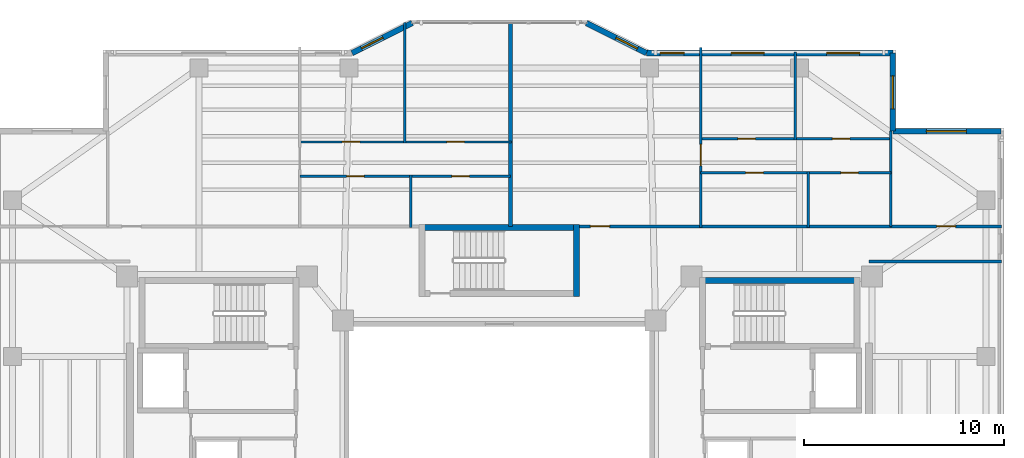
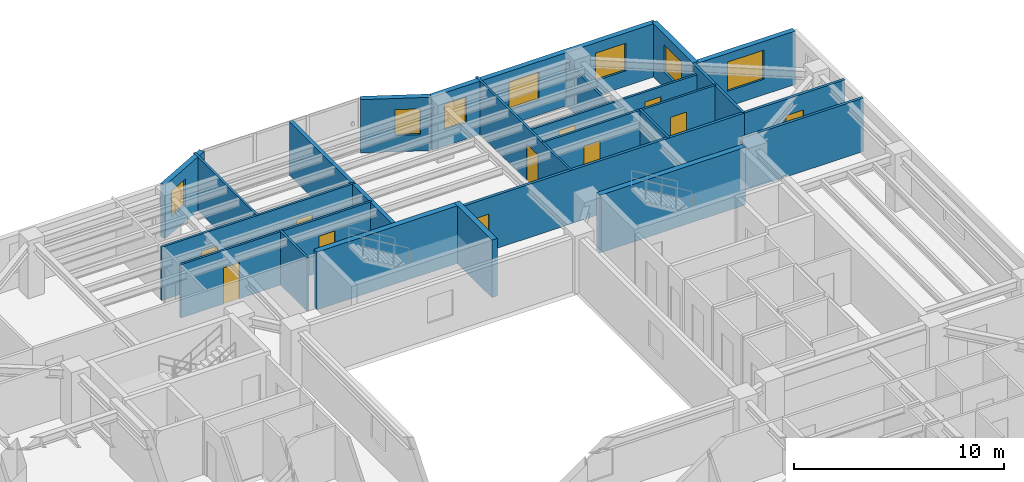
# One storey, part 10 of 15: 24 walls, 11 doors, 7 windows, 18 openings.
"""IFC4 building model written with IfcOpenShell, lengths in metres."""

from ifc_helpers import new_model, si_unit, direction, frame, frame_2d, origin, place, context, subcontext, project, spatial, rectangle, extrude, material, layer, layer_set, type_object, element, fill, save


model = new_model("IFC4")

# Units and contexts
model_context = context("Model", 3, precision=1e-05, world=origin(), true_north=direction((0.0, 1.0)))
body_context = subcontext(model_context, "Body", "Model", "MODEL_VIEW")
ifc_project = project(units=[si_unit("LENGTHUNIT", "METRE"), si_unit("AREAUNIT", "SQUARE_METRE"), si_unit("VOLUMEUNIT", "CUBIC_METRE"), si_unit("PLANEANGLEUNIT", "RADIAN"), si_unit("MASSUNIT", "GRAM", prefix="KILO")], contexts=[model_context])

# Site, building, storey
site_placement = place(None, origin())
site = spatial("IfcSite", under=ifc_project, at=site_placement, CompositionType="ELEMENT")
building_placement = place(site_placement, origin())
building = spatial("IfcBuilding", under=site, at=building_placement, Name="Tarnavaz Court Tower", CompositionType="ELEMENT")
storey_placement = place(building_placement, frame((0.0, 0.0, 162.75)))
storey = spatial("IfcBuildingStorey", under=building, at=storey_placement, Name="L44", CompositionType="ELEMENT", Elevation=162.75)

# Walls
ifc_material_1 = material(Name="Concrete C50/60", Category="concrete")
ifc_layer_1 = layer(ifc_material_1, 0.300048828125)
ifc_layer_set_1 = layer_set([ifc_layer_1], Name="Concrete C50/60")
wall_type_1 = type_object("IfcWallType", Name="WL-CORE-300-C50", PredefinedType="SHEAR", material=ifc_layer_set_1)
for number, where, z_axis, x_axis, name in (
    (1, (10.0, 9.7900390625, 0.0), (0.0, 0.0, 1.0), (1.0, 0.0, 0.0), "L44 East Stair Core Wall 005"),
    (2, (-4.0, 12.43994140625, 0.0), (0.0, 0.0, 1.0), (1.0, 0.0, 0.0), "L44 North Stair Core Wall 009"),
):
    element("IfcWall", number, at=place(storey_placement, frame(where, z_axis=z_axis, x_axis=x_axis)), inside=storey, type_object=wall_type_1, Name=name, PredefinedType="SHEAR", context=body_context, shape_type="SweptSolid", body=[
        extrude(rectangle(XDim=8.0, YDim=0.300048828125, at=frame_2d((4.0, 0.0))), origin(), (0.0, 0.0, 1.0), 3.35009765625),
    ])
wall_1_placement = place(storey_placement, frame((3.85009765625, 9.0, 0.0), z_axis=(0.0, 0.0, 1.0), x_axis=(0.0, 1.0, 0.0)))
element("IfcWall", 3, at=wall_1_placement, inside=storey, type_object=wall_type_1, Name="L44 North Stair Core Wall 012", PredefinedType="SHEAR", context=body_context, shape_type="SweptSolid", body=[
    extrude(rectangle(XDim=3.590087890625, YDim=0.300048828125, at=frame_2d((1.794921875, 0.0))), origin(), (0.0, 0.0, 1.0), 3.35009765625),
])

# Wall, opening, window
ifc_material_2 = material(Name="Precast Concrete C40/50", Category="concrete")
ifc_layer_2 = layer(ifc_material_2, 0.280029296875)
ifc_layer_set_2 = layer_set([ifc_layer_2], Name="Precast Concrete C40/50")
wall_type_2 = type_object("IfcWallType", Name="WL-EXT-280", PredefinedType="SOLIDWALL", material=ifc_layer_set_2)
wall_2_placement = place(storey_placement, frame((-7.35009765625, 21.14990234375, 0.0), z_axis=(0.0, 0.0, 1.0), x_axis=(0.894427191, 0.4472135955, 0.0)))
wall_2 = element("IfcWall", 4, at=wall_2_placement, inside=storey, type_object=wall_type_2, Name="L44 Exterior Terracotta Facade Wall 06", PredefinedType="SOLIDWALL", context=body_context, shape_type="SweptSolid", body=[
    extrude(rectangle(XDim=3.35400390625, YDim=0.280029296875, at=frame_2d((1.677001953125, 0.0))), origin(), (0.0, 0.0, 1.0), 3.10009765625),
])
opening_1_placement = place(wall_2_placement, frame((0.521240234375, 0.0, 0.949951171875)))
opening_1 = element("IfcOpeningElement", 5, at=opening_1_placement, cuts=wall_2, Name="Opening W05", PredefinedType="OPENING", context=body_context, shape_type="SweptSolid", body=[
    extrude(rectangle(XDim=1.199951171875, YDim=1.5, at=frame_2d((0.60009765625, 0.75))), frame((0.0, 0.14990234375, 0.0), z_axis=(0.0, -1.0, 0.0), x_axis=(1.0, 0.0, 0.0)), (0.0, 0.0, 1.0), 0.300048828125),
])
ifc_material_3 = material(Name="Double-Glazed Solar Low-E Glass", Category="glass")
window_type_1 = type_object("IfcWindowType", Name="WN-APT-1200", PartitioningType="SINGLE_PANEL", PredefinedType="WINDOW", material=ifc_material_3)
window_1_placement = place(opening_1_placement, origin())
window_1 = element("IfcWindow", 6, at=window_1_placement, inside=storey, type_object=window_type_1, Name="L44 Flat 01 Principal Bedroom Window", OverallHeight=1.5, OverallWidth=1.199951171875, PartitioningType="SINGLE_PANEL", PredefinedType="WINDOW", context=body_context, shape_type="SweptSolid", body=[
    extrude(rectangle(XDim=1.199951171875, YDim=1.5, at=frame_2d((0.60009765625, 0.75))), frame((0.0, 0.030029296875, 0.0), z_axis=(0.0, -1.0, 0.0), x_axis=(1.0, 0.0, 0.0)), (0.0, 0.0, 1.0), 0.06005859375),
])
fill(opening_1, window_1)

wall_3_placement = place(storey_placement, frame((4.35009765625, 22.64990234375, 0.0), z_axis=(0.0, 0.0, 1.0), x_axis=(0.894427191, -0.4472135955, 0.0)))
wall_3 = element("IfcWall", 7, at=wall_3_placement, inside=storey, type_object=wall_type_2, Name="L44 Exterior Terracotta Facade Wall 08", PredefinedType="SOLIDWALL", context=body_context, shape_type="SweptSolid", body=[
    extrude(rectangle(XDim=3.35400390625, YDim=0.280029296875, at=frame_2d((1.677001953125, 0.0))), origin(), (0.0, 0.0, 1.0), 3.10009765625),
])
opening_2_placement = place(wall_3_placement, frame((1.65283203125, 0.0, 0.949951171875)))
opening_2 = element("IfcOpeningElement", 8, at=opening_2_placement, cuts=wall_3, Name="Opening W05", PredefinedType="OPENING", context=body_context, shape_type="SweptSolid", body=[
    extrude(rectangle(XDim=1.199951171875, YDim=1.5, at=frame_2d((0.60009765625, 0.75))), frame((0.0, 0.14990234375, 0.0), z_axis=(0.0, -1.0, 0.0), x_axis=(1.0, 0.0, 0.0)), (0.0, 0.0, 1.0), 0.300048828125),
])
window_2_placement = place(opening_2_placement, origin())
window_2 = element("IfcWindow", 9, at=window_2_placement, inside=storey, type_object=window_type_1, Name="L44 Flat 02 Living and Dining Room Window", OverallHeight=1.5, OverallWidth=1.199951171875, PartitioningType="SINGLE_PANEL", PredefinedType="WINDOW", context=body_context, shape_type="SweptSolid", body=[
    extrude(rectangle(XDim=1.199951171875, YDim=1.5, at=frame_2d((0.60009765625, 0.75))), frame((0.0, 0.030029296875, 0.0), z_axis=(0.0, -1.0, 0.0), x_axis=(1.0, 0.0, 0.0)), (0.0, 0.0, 1.0), 0.06005859375),
])
fill(opening_2, window_2)

# Wall, openings, windows
wall_4_placement = place(storey_placement, frame((7.35009765625, 21.14990234375, 0.0), z_axis=(0.0, 0.0, 1.0), x_axis=(1.0, 0.0, 0.0)))
wall_4 = element("IfcWall", 10, at=wall_4_placement, inside=storey, type_object=wall_type_2, Name="L44 Exterior Terracotta Facade Wall 09", PredefinedType="SOLIDWALL", context=body_context, shape_type="SweptSolid", body=[
    extrude(rectangle(XDim=12.2998046875, YDim=0.280029296875, at=frame_2d((6.14990234375, 0.0))), origin(), (0.0, 0.0, 1.0), 3.10009765625),
])
opening_3_placement = place(wall_4_placement, frame((0.68017578125, 0.0, 0.949951171875)))
opening_3 = element("IfcOpeningElement", 11, at=opening_3_placement, cuts=wall_4, Name="Opening W05", PredefinedType="OPENING", context=body_context, shape_type="SweptSolid", body=[
    extrude(rectangle(XDim=1.199951171875, YDim=1.5, at=frame_2d((0.60009765625, 0.75))), frame((0.0, 0.14990234375, 0.0), z_axis=(0.0, -1.0, 0.0), x_axis=(1.0, 0.0, 0.0)), (0.0, 0.0, 1.0), 0.300048828125),
])
opening_4_placement = place(wall_4_placement, frame((4.220458984375, 0.0, 0.89990234375)))
opening_4 = element("IfcOpeningElement", 12, at=opening_4_placement, cuts=wall_4, Name="Opening W02", PredefinedType="OPENING", context=body_context, shape_type="SweptSolid", body=[
    extrude(rectangle(XDim=1.64990234375, YDim=1.60009765625, at=frame_2d((0.824951171875, 0.800048828125))), frame((0.0, 0.14990234375, 0.0), z_axis=(0.0, -1.0, 0.0), x_axis=(1.0, 0.0, 0.0)), (0.0, 0.0, 1.0), 0.300048828125),
])
opening_5_placement = place(wall_4_placement, frame((8.989990234375, 0.0, 0.89990234375)))
opening_5 = element("IfcOpeningElement", 13, at=opening_5_placement, cuts=wall_4, Name="Opening W02", PredefinedType="OPENING", context=body_context, shape_type="SweptSolid", body=[
    extrude(rectangle(XDim=1.64990234375, YDim=1.60009765625, at=frame_2d((0.824951171875, 0.800048828125))), frame((0.0, 0.14990234375, 0.0), z_axis=(0.0, -1.0, 0.0), x_axis=(1.0, 0.0, 0.0)), (0.0, 0.0, 1.0), 0.300048828125),
])
window_3_placement = place(opening_3_placement, origin())
window_3 = element("IfcWindow", 14, at=window_3_placement, inside=storey, type_object=window_type_1, Name="L44 Flat 02 Living and Dining Room Window", OverallHeight=1.5, OverallWidth=1.199951171875, PartitioningType="SINGLE_PANEL", PredefinedType="WINDOW", context=body_context, shape_type="SweptSolid", body=[
    extrude(rectangle(XDim=1.199951171875, YDim=1.5, at=frame_2d((0.60009765625, 0.75))), frame((0.0, 0.030029296875, 0.0), z_axis=(0.0, -1.0, 0.0), x_axis=(1.0, 0.0, 0.0)), (0.0, 0.0, 1.0), 0.06005859375),
])
fill(opening_3, window_3)
window_type_2 = type_object("IfcWindowType", Name="WN-APT-1650", PartitioningType="DOUBLE_PANEL_VERTICAL", PredefinedType="WINDOW", material=ifc_material_3)
window_4_placement = place(opening_4_placement, origin())
window_4 = element("IfcWindow", 15, at=window_4_placement, inside=storey, type_object=window_type_2, Name="L44 Flat 02 Principal Bedroom Window", OverallHeight=1.60009765625, OverallWidth=1.64990234375, PartitioningType="SINGLE_PANEL", PredefinedType="WINDOW", context=body_context, shape_type="SweptSolid", body=[
    extrude(rectangle(XDim=1.64990234375, YDim=1.60009765625, at=frame_2d((0.824951171875, 0.800048828125))), frame((0.0, 0.030029296875, 0.0), z_axis=(0.0, -1.0, 0.0), x_axis=(1.0, 0.0, 0.0)), (0.0, 0.0, 1.0), 0.06005859375),
])
fill(opening_4, window_4)
window_5_placement = place(opening_5_placement, origin())
window_5 = element("IfcWindow", 16, at=window_5_placement, inside=storey, type_object=window_type_2, Name="L44 Flat 02 Bedroom 2 Window", OverallHeight=1.60009765625, OverallWidth=1.64990234375, PartitioningType="SINGLE_PANEL", PredefinedType="WINDOW", context=body_context, shape_type="SweptSolid", body=[
    extrude(rectangle(XDim=1.64990234375, YDim=1.60009765625, at=frame_2d((0.824951171875, 0.800048828125))), frame((0.0, 0.030029296875, 0.0), z_axis=(0.0, -1.0, 0.0), x_axis=(1.0, 0.0, 0.0)), (0.0, 0.0, 1.0), 0.06005859375),
])
fill(opening_5, window_5)

# Wall, opening, window
wall_5_placement = place(storey_placement, frame((19.64990234375, 21.14990234375, 0.0), z_axis=(0.0, 0.0, 1.0), x_axis=(0.0, -1.0, 0.0)))
wall_5 = element("IfcWall", 17, at=wall_5_placement, inside=storey, type_object=wall_type_2, Name="L44 Exterior Terracotta Facade Wall 10", PredefinedType="SOLIDWALL", context=body_context, shape_type="SweptSolid", body=[
    extrude(rectangle(XDim=3.89990234375, YDim=0.280029296875, at=frame_2d((1.949951171875, 0.0))), origin(), (0.0, 0.0, 1.0), 3.10009765625),
])
opening_6_placement = place(wall_5_placement, frame((1.142822265625, 0.0, 0.89990234375)))
opening_6 = element("IfcOpeningElement", 18, at=opening_6_placement, cuts=wall_5, Name="Opening W02", PredefinedType="OPENING", context=body_context, shape_type="SweptSolid", body=[
    extrude(rectangle(XDim=1.64990234375, YDim=1.60009765625, at=frame_2d((0.824951171875, 0.800048828125))), frame((0.0, 0.14990234375, 0.0), z_axis=(0.0, -1.0, 0.0), x_axis=(1.0, 0.0, 0.0)), (0.0, 0.0, 1.0), 0.300048828125),
])
window_6_placement = place(opening_6_placement, origin())
window_6 = element("IfcWindow", 19, at=window_6_placement, inside=storey, type_object=window_type_2, Name="L44 Flat 02 Bedroom 2 Window", OverallHeight=1.60009765625, OverallWidth=1.64990234375, PartitioningType="SINGLE_PANEL", PredefinedType="WINDOW", context=body_context, shape_type="SweptSolid", body=[
    extrude(rectangle(XDim=1.64990234375, YDim=1.60009765625, at=frame_2d((0.824951171875, 0.800048828125))), frame((0.0, 0.030029296875, 0.0), z_axis=(0.0, -1.0, 0.0), x_axis=(1.0, 0.0, 0.0)), (0.0, 0.0, 1.0), 0.06005859375),
])
fill(opening_6, window_6)

wall_6_placement = place(storey_placement, frame((19.64990234375, 17.25, 0.0), z_axis=(0.0, 0.0, 1.0), x_axis=(1.0, 0.0, 0.0)))
wall_6 = element("IfcWall", 20, at=wall_6_placement, inside=storey, type_object=wall_type_2, Name="L44 Exterior Terracotta Facade Wall 11", PredefinedType="SOLIDWALL", context=body_context, shape_type="SweptSolid", body=[
    extrude(rectangle(XDim=5.400146484375, YDim=0.280029296875, at=frame_2d((2.7001953125, 0.0))), origin(), (0.0, 0.0, 1.0), 3.10009765625),
])
opening_7_placement = place(wall_6_placement, frame((1.675048828125, 0.0, 0.89990234375)))
opening_7 = element("IfcOpeningElement", 21, at=opening_7_placement, cuts=wall_6, Name="Opening W08", PredefinedType="OPENING", context=body_context, shape_type="SweptSolid", body=[
    extrude(rectangle(XDim=2.0, YDim=1.699951171875, at=frame_2d((1.0, 0.85009765625))), frame((0.0, 0.14990234375, 0.0), z_axis=(0.0, -1.0, 0.0), x_axis=(1.0, 0.0, 0.0)), (0.0, 0.0, 1.0), 0.300048828125),
])
window_type_3 = type_object("IfcWindowType", Name="WN-APT-2000", PartitioningType="DOUBLE_PANEL_VERTICAL", PredefinedType="WINDOW", material=ifc_material_3)
window_7_placement = place(opening_7_placement, origin())
window_7 = element("IfcWindow", 22, at=window_7_placement, inside=storey, type_object=window_type_3, Name="L44 North-East Corner Sunroom Study Window", OverallHeight=1.699951171875, OverallWidth=2.0, PartitioningType="SINGLE_PANEL", PredefinedType="WINDOW", context=body_context, shape_type="SweptSolid", body=[
    extrude(rectangle(XDim=2.0, YDim=1.699951171875, at=frame_2d((1.0, 0.85009765625))), frame((0.0, 0.030029296875, 0.0), z_axis=(0.0, -1.0, 0.0), x_axis=(1.0, 0.0, 0.0)), (0.0, 0.0, 1.0), 0.06005859375),
])
fill(opening_7, window_7)

# Wall, opening, door
ifc_material_4 = material(Name="Gypsum Fire-Board on Acoustic Metal Stud", Category="masonry")
ifc_layer_3 = layer(ifc_material_4, 0.14990234375)
ifc_layer_set_3 = layer_set([ifc_layer_3], Name="Gypsum Fire-Board on Acoustic Metal Stud")
wall_type_3 = type_object("IfcWallType", Name="WL-FIRE-150", PredefinedType="PARTITIONING", material=ifc_layer_set_3)
wall_7_placement = place(storey_placement, frame((3.85009765625, 12.5, 0.0), z_axis=(0.0, 0.0, 1.0), x_axis=(1.0, 0.0, 0.0)))
wall_7 = element("IfcWall", 23, at=wall_7_placement, inside=storey, type_object=wall_type_3, Name="L44 NE Wing Corridor Wall 073", PredefinedType="PARTITIONING", context=body_context, shape_type="SweptSolid", body=[
    extrude(rectangle(XDim=15.699951171875, YDim=0.14990234375, at=frame_2d((7.85009765625, 0.0))), origin(), (0.0, 0.0, 1.0), 3.10009765625),
])
opening_8_placement = place(wall_7_placement, frame((0.699951171875, 0.0, 0.0)))
opening_8 = element("IfcOpeningElement", 24, at=opening_8_placement, cuts=wall_7, Name="Opening D06", PredefinedType="OPENING", context=body_context, shape_type="SweptSolid", body=[
    extrude(rectangle(XDim=0.9599609375, YDim=2.14990234375, at=frame_2d((0.47998046875, 1.074951171875))), frame((0.0, 0.0849609375, 0.0), z_axis=(0.0, -1.0, 0.0), x_axis=(1.0, 0.0, 0.0)), (0.0, 0.0, 1.0), 0.169921875),
])
ifc_material_5 = material(Name="Fire-Rated Hardwood Timber Core", Category="wood")
door_type_1 = type_object("IfcDoorType", Name="DR-FD60-950", OperationType="NOTDEFINED", PredefinedType="DOOR", material=ifc_material_5)
door_1_placement = place(opening_8_placement, origin())
door_1 = element("IfcDoor", 25, at=door_1_placement, inside=storey, type_object=door_type_1, Name="L44 Flat 02 Entrance Door", OperationType="SINGLE_SWING_RIGHT", OverallHeight=2.14990234375, OverallWidth=0.9599609375, PredefinedType="DOOR", context=body_context, shape_type="SweptSolid", body=[
    extrude(rectangle(XDim=0.9599609375, YDim=2.14990234375, at=frame_2d((0.47998046875, 1.074951171875))), frame((0.0, 0.02490234375, 0.0), z_axis=(0.0, -1.0, 0.0), x_axis=(1.0, 0.0, 0.0)), (0.0, 0.0, 1.0), 0.050048828125),
])
fill(opening_8, door_1)

# Wall
wall_8_placement = place(storey_placement, frame((18.449951171875, 10.75, 0.0), z_axis=(0.0, 0.0, 1.0), x_axis=(1.0, 0.0, 0.0)))
element("IfcWall", 26, at=wall_8_placement, inside=storey, type_object=wall_type_3, Name="L44 Interior Partition 113", PredefinedType="PARTITIONING", context=body_context, shape_type="SweptSolid", body=[
    extrude(rectangle(XDim=6.630126953125, YDim=0.14990234375, at=frame_2d((3.31494140625, 0.0))), origin(), (0.0, 0.0, 1.0), 3.10009765625),
])

# Wall, opening, door
wall_9_placement = place(storey_placement, frame((19.550048828125, 12.5, 0.0), z_axis=(0.0, 0.0, 1.0), x_axis=(1.0, 0.0, 0.0)))
wall_9 = element("IfcWall", 27, at=wall_9_placement, inside=storey, type_object=wall_type_3, Name="L44 Interior Partition 119", PredefinedType="PARTITIONING", context=body_context, shape_type="SweptSolid", body=[
    extrude(rectangle(XDim=5.530029296875, YDim=0.14990234375, at=frame_2d((2.76513671875, 0.0))), origin(), (0.0, 0.0, 1.0), 3.10009765625),
])
opening_9_placement = place(wall_9_placement, frame((2.2900390625, 0.0, 0.0)))
opening_9 = element("IfcOpeningElement", 28, at=opening_9_placement, cuts=wall_9, Name="Opening D13", PredefinedType="OPENING", context=body_context, shape_type="SweptSolid", body=[
    extrude(rectangle(XDim=0.949951171875, YDim=2.14990234375, at=frame_2d((0.47509765625, 1.074951171875))), frame((0.0, 0.0849609375, 0.0), z_axis=(0.0, -1.0, 0.0), x_axis=(1.0, 0.0, 0.0)), (0.0, 0.0, 1.0), 0.169921875),
])
ifc_material_6 = material(Name="Engineered Oak Timber", Category="wood")
door_type_2 = type_object("IfcDoorType", Name="DR-INT-950", OperationType="NOTDEFINED", PredefinedType="DOOR", material=ifc_material_6)
door_2_placement = place(opening_9_placement, origin())
door_2 = element("IfcDoor", 29, at=door_2_placement, inside=storey, type_object=door_type_2, Name="L44 NE Sunroom Door", OperationType="SINGLE_SWING_LEFT", OverallHeight=2.14990234375, OverallWidth=0.949951171875, PredefinedType="DOOR", context=body_context, shape_type="SweptSolid", body=[
    extrude(rectangle(XDim=0.949951171875, YDim=2.14990234375, at=frame_2d((0.47509765625, 1.074951171875))), frame((0.0, 0.02490234375, 0.0), z_axis=(0.0, -1.0, 0.0), x_axis=(1.0, 0.0, 0.0)), (0.0, 0.0, 1.0), 0.050048828125),
])
fill(opening_9, door_2)

# Wall
ifc_material_7 = material(Name="Autoclaved Aerated Concrete Blockwork", Category="masonry")
ifc_layer_4 = layer(ifc_material_7, 0.199951171875)
ifc_layer_set_4 = layer_set([ifc_layer_4], Name="Autoclaved Aerated Concrete Blockwork")
wall_type_4 = type_object("IfcWallType", Name="WL-FIRE-200", PredefinedType="SOLIDWALL", material=ifc_layer_set_4)
wall_10_placement = place(storey_placement, frame((0.550048828125, 12.5, 0.0), z_axis=(0.0, 0.0, 1.0), x_axis=(0.0, 1.0, 0.0)))
element("IfcWall", 30, at=wall_10_placement, inside=storey, type_object=wall_type_4, Name="L44 North Center Party Wall 076", PredefinedType="SOLIDWALL", context=body_context, shape_type="SweptSolid", body=[
    extrude(rectangle(XDim=10.179931640625, YDim=0.199951171875, at=frame_2d((5.08984375, 0.0))), origin(), (0.0, 0.0, 1.0), 3.10009765625),
])

# Wall, opening, door
ifc_material_8 = material(Name="Moisture-Resistant Gypsum Board Partition", Category="masonry")
ifc_layer_5 = layer(ifc_material_8, 0.1201171875)
ifc_layer_set_5 = layer_set([ifc_layer_5], Name="Moisture-Resistant Gypsum Board Partition")
wall_type_5 = type_object("IfcWallType", Name="WL-PART-120", PredefinedType="PARTITIONING", material=ifc_layer_set_5)
wall_11_placement = place(storey_placement, frame((-9.955078125, 15.0, 0.0), z_axis=(0.0, 0.0, 1.0), x_axis=(1.0, 0.0, 0.0)))
wall_11 = element("IfcWall", 31, at=wall_11_placement, inside=storey, type_object=wall_type_5, Name="L44 Interior Partition 078", PredefinedType="PARTITIONING", context=body_context, shape_type="SweptSolid", body=[
    extrude(rectangle(XDim=5.5361328125, YDim=0.1201171875, at=frame_2d((2.76806640625, 0.0))), origin(), (0.0, 0.0, 1.0), 3.10009765625),
])
opening_10_placement = place(wall_11_placement, frame((2.327880859375, 0.0, 0.0)))
opening_10 = element("IfcOpeningElement", 32, at=opening_10_placement, cuts=wall_11, Name="Opening D14", PredefinedType="OPENING", context=body_context, shape_type="SweptSolid", body=[
    extrude(rectangle(XDim=0.8798828125, YDim=2.10009765625, at=frame_2d((0.43994140625, 1.050048828125))), frame((0.0, 0.070068359375, 0.0), z_axis=(0.0, -1.0, 0.0), x_axis=(1.0, 0.0, 0.0)), (0.0, 0.0, 1.0), 0.14013671875),
])
door_type_3 = type_object("IfcDoorType", Name="DR-INT-900", OperationType="NOTDEFINED", PredefinedType="DOOR", material=ifc_material_6)
door_3_placement = place(opening_10_placement, origin())
door_3 = element("IfcDoor", 33, at=door_3_placement, inside=storey, type_object=door_type_3, Name="L44 Flat 01 Kitchen Door", OperationType="SINGLE_SWING_RIGHT", OverallHeight=2.10009765625, OverallWidth=0.8798828125, PredefinedType="DOOR", context=body_context, shape_type="SweptSolid", body=[
    extrude(rectangle(XDim=0.8798828125, YDim=2.10009765625, at=frame_2d((0.43994140625, 1.050048828125))), frame((0.0, 0.02490234375, 0.0), z_axis=(0.0, -1.0, 0.0), x_axis=(1.0, 0.0, 0.0)), (0.0, 0.0, 1.0), 0.050048828125),
])
fill(opening_10, door_3)

wall_12_placement = place(storey_placement, frame((-4.4189453125, 15.0, 0.0), z_axis=(0.0, 0.0, 1.0), x_axis=(1.0, 0.0, 0.0)))
wall_12 = element("IfcWall", 34, at=wall_12_placement, inside=storey, type_object=wall_type_5, Name="L44 Interior Partition 079", PredefinedType="PARTITIONING", context=body_context, shape_type="SweptSolid", body=[
    extrude(rectangle(XDim=4.968994140625, YDim=0.1201171875, at=frame_2d((2.484375, 0.0))), origin(), (0.0, 0.0, 1.0), 3.10009765625),
])
opening_11_placement = place(wall_12_placement, frame((2.0439453125, 0.0, 0.0)))
opening_11 = element("IfcOpeningElement", 35, at=opening_11_placement, cuts=wall_12, Name="Opening D14", PredefinedType="OPENING", context=body_context, shape_type="SweptSolid", body=[
    extrude(rectangle(XDim=0.8798828125, YDim=2.10009765625, at=frame_2d((0.43994140625, 1.050048828125))), frame((0.0, 0.070068359375, 0.0), z_axis=(0.0, -1.0, 0.0), x_axis=(1.0, 0.0, 0.0)), (0.0, 0.0, 1.0), 0.14013671875),
])
door_4_placement = place(opening_11_placement, origin())
door_4 = element("IfcDoor", 36, at=door_4_placement, inside=storey, type_object=door_type_3, Name="L44 Flat 01 Bathroom Door", OperationType="SINGLE_SWING_LEFT", OverallHeight=2.10009765625, OverallWidth=0.8798828125, PredefinedType="DOOR", context=body_context, shape_type="SweptSolid", body=[
    extrude(rectangle(XDim=0.8798828125, YDim=2.10009765625, at=frame_2d((0.43994140625, 1.050048828125))), frame((0.0, 0.02490234375, 0.0), z_axis=(0.0, -1.0, 0.0), x_axis=(1.0, 0.0, 0.0)), (0.0, 0.0, 1.0), 0.050048828125),
])
fill(opening_11, door_4)

# Wall, openings, doors
wall_13_placement = place(storey_placement, frame((-10.014892578125, 16.7099609375, 0.0), z_axis=(0.0, 0.0, 1.0), x_axis=(1.0, 0.0, 0.0)))
wall_13 = element("IfcWall", 37, at=wall_13_placement, inside=storey, type_object=wall_type_5, Name="L44 Interior Partition 080", PredefinedType="PARTITIONING", context=body_context, shape_type="SweptSolid", body=[
    extrude(rectangle(XDim=10.625, YDim=0.1201171875, at=frame_2d((5.3125, 0.0))), origin(), (0.0, 0.0, 1.0), 3.10009765625),
])
opening_12_placement = place(wall_13_placement, frame((2.1708984375, 0.0, 0.0)))
opening_12 = element("IfcOpeningElement", 38, at=opening_12_placement, cuts=wall_13, Name="Opening D14", PredefinedType="OPENING", context=body_context, shape_type="SweptSolid", body=[
    extrude(rectangle(XDim=0.8798828125, YDim=2.10009765625, at=frame_2d((0.43994140625, 1.050048828125))), frame((0.0, 0.070068359375, 0.0), z_axis=(0.0, -1.0, 0.0), x_axis=(1.0, 0.0, 0.0)), (0.0, 0.0, 1.0), 0.14013671875),
])
opening_13_placement = place(wall_13_placement, frame((7.39404296875, 0.0, 0.0)))
opening_13 = element("IfcOpeningElement", 39, at=opening_13_placement, cuts=wall_13, Name="Opening D14", PredefinedType="OPENING", context=body_context, shape_type="SweptSolid", body=[
    extrude(rectangle(XDim=0.8798828125, YDim=2.10009765625, at=frame_2d((0.43994140625, 1.050048828125))), frame((0.0, 0.070068359375, 0.0), z_axis=(0.0, -1.0, 0.0), x_axis=(1.0, 0.0, 0.0)), (0.0, 0.0, 1.0), 0.14013671875),
])
door_5_placement = place(opening_12_placement, origin())
door_5 = element("IfcDoor", 40, at=door_5_placement, inside=storey, type_object=door_type_3, Name="L44 Flat 01 Bedroom 1 Door", OperationType="SINGLE_SWING_RIGHT", OverallHeight=2.10009765625, OverallWidth=0.8798828125, PredefinedType="DOOR", context=body_context, shape_type="SweptSolid", body=[
    extrude(rectangle(XDim=0.8798828125, YDim=2.10009765625, at=frame_2d((0.43994140625, 1.050048828125))), frame((0.0, 0.02490234375, 0.0), z_axis=(0.0, -1.0, 0.0), x_axis=(1.0, 0.0, 0.0)), (0.0, 0.0, 1.0), 0.050048828125),
])
fill(opening_12, door_5)
door_6_placement = place(opening_13_placement, origin())
door_6 = element("IfcDoor", 41, at=door_6_placement, inside=storey, type_object=door_type_3, Name="L44 Flat 01 Bedroom 2 Door", OperationType="SINGLE_SWING_LEFT", OverallHeight=2.10009765625, OverallWidth=0.8798828125, PredefinedType="DOOR", context=body_context, shape_type="SweptSolid", body=[
    extrude(rectangle(XDim=0.8798828125, YDim=2.10009765625, at=frame_2d((0.43994140625, 1.050048828125))), frame((0.0, 0.02490234375, 0.0), z_axis=(0.0, -1.0, 0.0), x_axis=(1.0, 0.0, 0.0)), (0.0, 0.0, 1.0), 0.050048828125),
])
fill(opening_13, door_6)

# Walls
wall_14_placement = place(storey_placement, frame((-4.4189453125, 12.43994140625, 0.0), z_axis=(0.0, 0.0, 1.0), x_axis=(0.0, 1.0, 0.0)))
element("IfcWall", 42, at=wall_14_placement, inside=storey, type_object=wall_type_5, Name="L44 Interior Partition 081", PredefinedType="PARTITIONING", context=body_context, shape_type="SweptSolid", body=[
    extrude(rectangle(XDim=2.6201171875, YDim=0.1201171875, at=frame_2d((1.31005859375, 0.0))), origin(), (0.0, 0.0, 1.0), 3.10009765625),
])
wall_15_placement = place(storey_placement, frame((-4.73193359375, 16.64990234375, 0.0), z_axis=(0.0, 0.0, 1.0), x_axis=(0.0, 1.0, 0.0)))
element("IfcWall", 43, at=wall_15_placement, inside=storey, type_object=wall_type_5, Name="L44 Interior Partition 082", PredefinedType="PARTITIONING", context=body_context, shape_type="SweptSolid", body=[
    extrude(rectangle(XDim=6.030029296875, YDim=0.1201171875, at=frame_2d((3.01513671875, 0.0))), origin(), (0.0, 0.0, 1.0), 3.10009765625),
])

# Wall, opening, door
wall_16_placement = place(storey_placement, frame((10.050048828125, 12.43994140625, 0.0), z_axis=(0.0, 0.0, 1.0), x_axis=(0.0, 1.0, 0.0)))
wall_16 = element("IfcWall", 44, at=wall_16_placement, inside=storey, type_object=wall_type_5, Name="L44 Interior Partition 083", PredefinedType="PARTITIONING", context=body_context, shape_type="SweptSolid", body=[
    extrude(rectangle(XDim=8.994140625, YDim=0.1201171875, at=frame_2d((4.4970703125, 0.0))), origin(), (0.0, 0.0, 1.0), 3.10009765625),
])
opening_14_placement = place(wall_16_placement, frame((3.074951171875, 0.0, 0.0)))
opening_14 = element("IfcOpeningElement", 45, at=opening_14_placement, cuts=wall_16, Name="Opening D12", PredefinedType="OPENING", context=body_context, shape_type="SweptSolid", body=[
    extrude(rectangle(XDim=1.080078125, YDim=2.14990234375, at=frame_2d((0.5400390625, 1.074951171875))), frame((0.0, 0.070068359375, 0.0), z_axis=(0.0, -1.0, 0.0), x_axis=(1.0, 0.0, 0.0)), (0.0, 0.0, 1.0), 0.14013671875),
])
door_type_4 = type_object("IfcDoorType", Name="DR-INT-1100", OperationType="NOTDEFINED", PredefinedType="DOOR", material=ifc_material_6)
door_7_placement = place(opening_14_placement, origin())
door_7 = element("IfcDoor", 46, at=door_7_placement, inside=storey, type_object=door_type_4, Name="L44 Flat 02 Foyer Door", OperationType="SINGLE_SWING_LEFT", OverallHeight=2.14990234375, OverallWidth=1.080078125, PredefinedType="DOOR", context=body_context, shape_type="SweptSolid", body=[
    extrude(rectangle(XDim=1.080078125, YDim=2.14990234375, at=frame_2d((0.5400390625, 1.074951171875))), frame((0.0, 0.02490234375, 0.0), z_axis=(0.0, -1.0, 0.0), x_axis=(1.0, 0.0, 0.0)), (0.0, 0.0, 1.0), 0.050048828125),
])
fill(opening_14, door_7)

wall_17_placement = place(storey_placement, frame((10.050048828125, 15.169921875, 0.0), z_axis=(0.0, 0.0, 1.0), x_axis=(1.0, 0.0, 0.0)))
wall_17 = element("IfcWall", 47, at=wall_17_placement, inside=storey, type_object=wall_type_5, Name="L44 Interior Partition 084", PredefinedType="PARTITIONING", context=body_context, shape_type="SweptSolid", body=[
    extrude(rectangle(XDim=5.380859375, YDim=0.1201171875, at=frame_2d((2.6904296875, 0.0))), origin(), (0.0, 0.0, 1.0), 3.10009765625),
])
opening_15_placement = place(wall_17_placement, frame((2.25, 0.0, 0.0)))
opening_15 = element("IfcOpeningElement", 48, at=opening_15_placement, cuts=wall_17, Name="Opening D14", PredefinedType="OPENING", context=body_context, shape_type="SweptSolid", body=[
    extrude(rectangle(XDim=0.8798828125, YDim=2.10009765625, at=frame_2d((0.43994140625, 1.050048828125))), frame((0.0, 0.070068359375, 0.0), z_axis=(0.0, -1.0, 0.0), x_axis=(1.0, 0.0, 0.0)), (0.0, 0.0, 1.0), 0.14013671875),
])
door_8_placement = place(opening_15_placement, origin())
door_8 = element("IfcDoor", 49, at=door_8_placement, inside=storey, type_object=door_type_3, Name="L44 Flat 02 Kitchen Door", OperationType="SINGLE_SWING_RIGHT", OverallHeight=2.10009765625, OverallWidth=0.8798828125, PredefinedType="DOOR", context=body_context, shape_type="SweptSolid", body=[
    extrude(rectangle(XDim=0.8798828125, YDim=2.10009765625, at=frame_2d((0.43994140625, 1.050048828125))), frame((0.0, 0.02490234375, 0.0), z_axis=(0.0, -1.0, 0.0), x_axis=(1.0, 0.0, 0.0)), (0.0, 0.0, 1.0), 0.050048828125),
])
fill(opening_15, door_8)

wall_18_placement = place(storey_placement, frame((15.430908203125, 15.169921875, 0.0), z_axis=(0.0, 0.0, 1.0), x_axis=(1.0, 0.0, 0.0)))
wall_18 = element("IfcWall", 50, at=wall_18_placement, inside=storey, type_object=wall_type_5, Name="L44 Interior Partition 085", PredefinedType="PARTITIONING", context=body_context, shape_type="SweptSolid", body=[
    extrude(rectangle(XDim=4.119140625, YDim=0.1201171875, at=frame_2d((2.0595703125, 0.0))), origin(), (0.0, 0.0, 1.0), 3.10009765625),
])
opening_16_placement = place(wall_18_placement, frame((1.6201171875, 0.0, 0.0)))
opening_16 = element("IfcOpeningElement", 51, at=opening_16_placement, cuts=wall_18, Name="Opening D14", PredefinedType="OPENING", context=body_context, shape_type="SweptSolid", body=[
    extrude(rectangle(XDim=0.8798828125, YDim=2.10009765625, at=frame_2d((0.43994140625, 1.050048828125))), frame((0.0, 0.070068359375, 0.0), z_axis=(0.0, -1.0, 0.0), x_axis=(1.0, 0.0, 0.0)), (0.0, 0.0, 1.0), 0.14013671875),
])
door_9_placement = place(opening_16_placement, origin())
door_9 = element("IfcDoor", 52, at=door_9_placement, inside=storey, type_object=door_type_3, Name="L44 Flat 02 Bathroom Door", OperationType="SINGLE_SWING_LEFT", OverallHeight=2.10009765625, OverallWidth=0.8798828125, PredefinedType="DOOR", context=body_context, shape_type="SweptSolid", body=[
    extrude(rectangle(XDim=0.8798828125, YDim=2.10009765625, at=frame_2d((0.43994140625, 1.050048828125))), frame((0.0, 0.02490234375, 0.0), z_axis=(0.0, -1.0, 0.0), x_axis=(1.0, 0.0, 0.0)), (0.0, 0.0, 1.0), 0.050048828125),
])
fill(opening_16, door_9)

# Wall, openings, doors
wall_19_placement = place(storey_placement, frame((9.989990234375, 16.8798828125, 0.0), z_axis=(0.0, 0.0, 1.0), x_axis=(1.0, 0.0, 0.0)))
wall_19 = element("IfcWall", 53, at=wall_19_placement, inside=storey, type_object=wall_type_5, Name="L44 Interior Partition 086", PredefinedType="PARTITIONING", context=body_context, shape_type="SweptSolid", body=[
    extrude(rectangle(XDim=9.6201171875, YDim=0.1201171875, at=frame_2d((4.81005859375, 0.0))), origin(), (0.0, 0.0, 1.0), 2.68505859375),
])
opening_17_placement = place(wall_19_placement, frame((1.919921875, 0.0, 0.0)))
opening_17 = element("IfcOpeningElement", 54, at=opening_17_placement, cuts=wall_19, Name="Opening D14", PredefinedType="OPENING", context=body_context, shape_type="SweptSolid", body=[
    extrude(rectangle(XDim=0.8798828125, YDim=2.10009765625, at=frame_2d((0.43994140625, 1.050048828125))), frame((0.0, 0.070068359375, 0.0), z_axis=(0.0, -1.0, 0.0), x_axis=(1.0, 0.0, 0.0)), (0.0, 0.0, 1.0), 0.14013671875),
])
opening_18_placement = place(wall_19_placement, frame((6.639892578125, 0.0, 0.0)))
opening_18 = element("IfcOpeningElement", 55, at=opening_18_placement, cuts=wall_19, Name="Opening D14", PredefinedType="OPENING", context=body_context, shape_type="SweptSolid", body=[
    extrude(rectangle(XDim=0.8798828125, YDim=2.10009765625, at=frame_2d((0.43994140625, 1.050048828125))), frame((0.0, 0.070068359375, 0.0), z_axis=(0.0, -1.0, 0.0), x_axis=(1.0, 0.0, 0.0)), (0.0, 0.0, 1.0), 0.14013671875),
])
door_10_placement = place(opening_17_placement, origin())
door_10 = element("IfcDoor", 56, at=door_10_placement, inside=storey, type_object=door_type_3, Name="L44 Flat 02 Bedroom 1 Door", OperationType="SINGLE_SWING_RIGHT", OverallHeight=2.10009765625, OverallWidth=0.8798828125, PredefinedType="DOOR", context=body_context, shape_type="SweptSolid", body=[
    extrude(rectangle(XDim=0.8798828125, YDim=2.10009765625, at=frame_2d((0.43994140625, 1.050048828125))), frame((0.0, 0.02490234375, 0.0), z_axis=(0.0, -1.0, 0.0), x_axis=(1.0, 0.0, 0.0)), (0.0, 0.0, 1.0), 0.050048828125),
])
fill(opening_17, door_10)
door_11_placement = place(opening_18_placement, origin())
door_11 = element("IfcDoor", 57, at=door_11_placement, inside=storey, type_object=door_type_3, Name="L44 Flat 02 Bedroom 2 Door", OperationType="SINGLE_SWING_LEFT", OverallHeight=2.10009765625, OverallWidth=0.8798828125, PredefinedType="DOOR", context=body_context, shape_type="SweptSolid", body=[
    extrude(rectangle(XDim=0.8798828125, YDim=2.10009765625, at=frame_2d((0.43994140625, 1.050048828125))), frame((0.0, 0.02490234375, 0.0), z_axis=(0.0, -1.0, 0.0), x_axis=(1.0, 0.0, 0.0)), (0.0, 0.0, 1.0), 0.050048828125),
])
fill(opening_18, door_11)

# Walls
wall_20_placement = place(storey_placement, frame((15.430908203125, 12.43994140625, 0.0), z_axis=(0.0, 0.0, 1.0), x_axis=(0.0, 1.0, 0.0)))
element("IfcWall", 58, at=wall_20_placement, inside=storey, type_object=wall_type_5, Name="L44 Interior Partition 087", PredefinedType="PARTITIONING", context=body_context, shape_type="SweptSolid", body=[
    extrude(rectangle(XDim=2.7900390625, YDim=0.1201171875, at=frame_2d((1.39501953125, 0.0))), origin(), (0.0, 0.0, 1.0), 3.10009765625),
])
wall_21_placement = place(storey_placement, frame((14.77001953125, 16.820068359375, 0.0), z_axis=(0.0, 0.0, 1.0), x_axis=(0.0, 1.0, 0.0)))
element("IfcWall", 59, at=wall_21_placement, inside=storey, type_object=wall_type_5, Name="L44 Interior Partition 088", PredefinedType="PARTITIONING", context=body_context, shape_type="SweptSolid", body=[
    extrude(rectangle(XDim=4.3798828125, YDim=0.1201171875, at=frame_2d((2.18994140625, 0.0))), origin(), (0.0, 0.0, 1.0), 2.5849609375),
])
ifc_material_9 = material(Name="Gypsum Plasterboard Acoustic Partition", Category="masonry")
ifc_layer_6 = layer(ifc_material_9, 0.139892578125)
ifc_layer_set_6 = layer_set([ifc_layer_6], Name="Gypsum Plasterboard Acoustic Partition")
wall_type_6 = type_object("IfcWallType", Name="WL-PART-150", PredefinedType="PARTITIONING", material=ifc_layer_set_6)
wall_22_placement = place(storey_placement, frame((19.550048828125, 12.5, 0.0), z_axis=(0.0, 0.0, 1.0), x_axis=(0.0, 1.0, 0.0)))
element("IfcWall", 60, at=wall_22_placement, inside=storey, type_object=wall_type_6, Name="L44 Interior Partition 117", PredefinedType="PARTITIONING", context=body_context, shape_type="SweptSolid", body=[
    extrude(rectangle(XDim=4.75, YDim=0.139892578125, at=frame_2d((2.375, 0.0))), origin(), (0.0, 0.0, 1.0), 3.10009765625),
])

save(model, "model.ifc")
